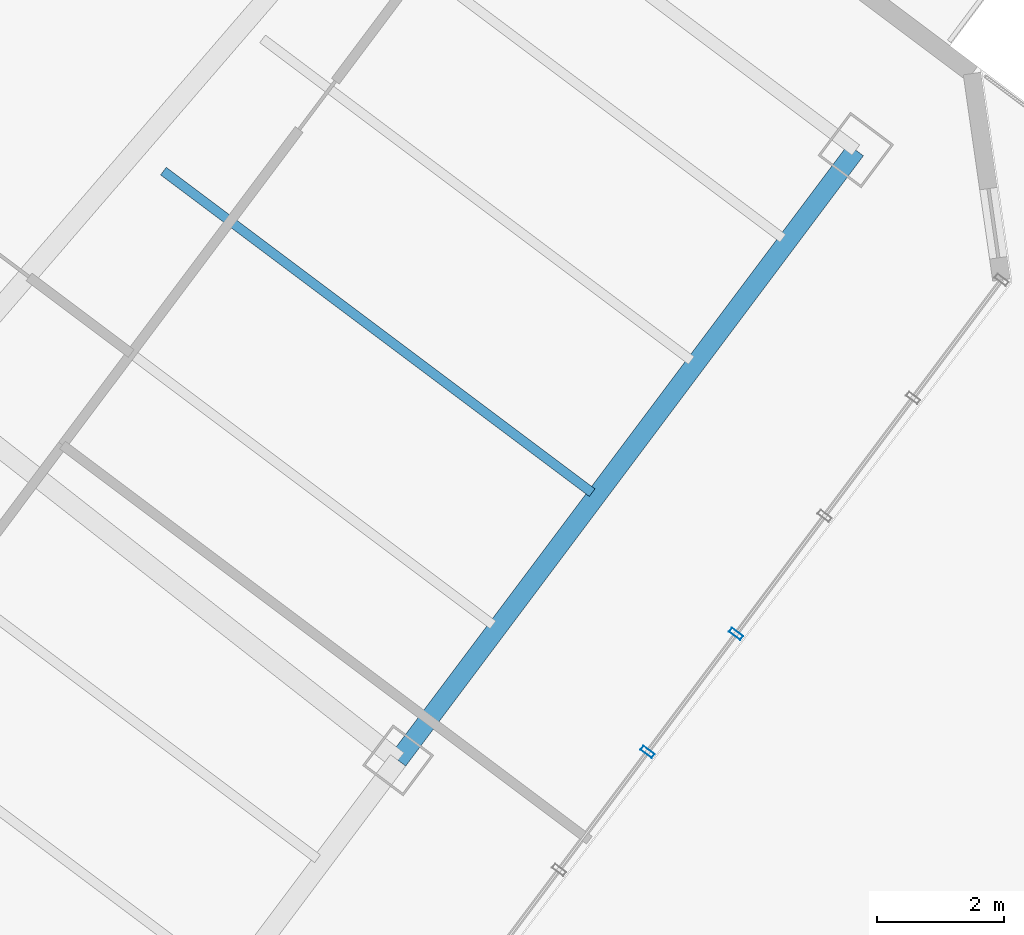
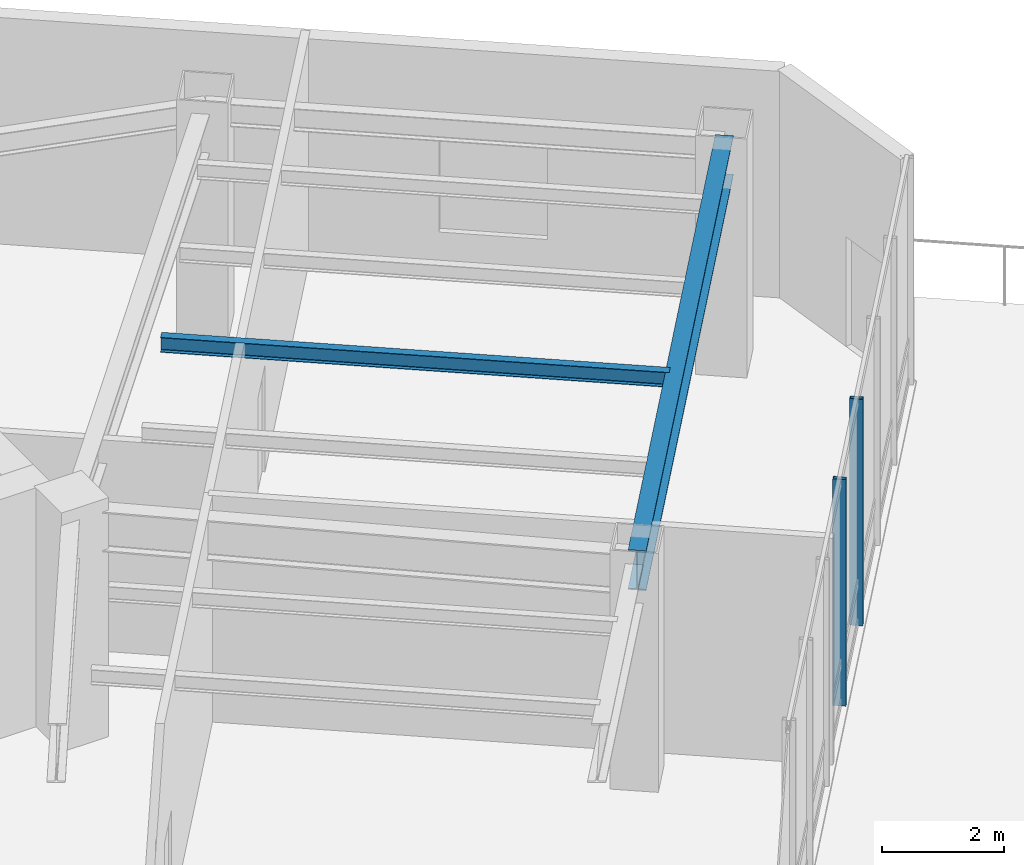
# One storey, part 12 of 30: 2 beams, 2 members, 1 element without a shape of its own.
"""IFC4 building model written with IfcOpenShell, lengths in metres."""

from ifc_helpers import new_model, si_unit, direction, frame, origin, origin_2d, place, context, subcontext, project, spatial, hollow_rectangle, i_section, extrude, material, layer, layer_set, material_profile, profile_set, type_object, element, aggregate, save


model = new_model("IFC4")

# Units and contexts
model_context = context("Model", 3, precision=1e-05, world=origin(), true_north=direction((0.0, 1.0)))
body_context = subcontext(model_context, "Body", "Model", "MODEL_VIEW")
ifc_project = project(units=[si_unit("LENGTHUNIT", "METRE"), si_unit("AREAUNIT", "SQUARE_METRE"), si_unit("VOLUMEUNIT", "CUBIC_METRE"), si_unit("PLANEANGLEUNIT", "RADIAN"), si_unit("MASSUNIT", "GRAM", prefix="KILO")], contexts=[model_context])

# Site, building, storey
site_placement = place(None, origin())
site = spatial("IfcSite", under=ifc_project, at=site_placement, CompositionType="ELEMENT")
building_placement = place(site_placement, origin())
building = spatial("IfcBuilding", under=site, at=building_placement, Name="Hatsunagi Terrace Concourse", CompositionType="ELEMENT")
storey_placement = place(building_placement, frame((0.0, 0.0, 130.050048828125)))
storey = spatial("IfcBuildingStorey", under=building, at=storey_placement, Name="L34", CompositionType="ELEMENT", Elevation=130.050048828125)

# Curtain wall, members
ifc_material_1 = material(Name="Anodised Aluminium Alloy 6063-T5", Category="aluminium")
ifc_layer = layer(ifc_material_1, 0.199951171875)
ifc_layer_set = layer_set([ifc_layer], Name="SkyLobbyAtrium_CW05")
curtain_wall_type = type_object("IfcCurtainWallType", Name="SkyLobbyAtrium_CW05", PredefinedType="NOTDEFINED", material=ifc_layer_set)
curtain_wall_placement = place(storey_placement, origin())
curtain_wall = element("IfcCurtainWall", 1, at=curtain_wall_placement, inside=storey, type_object=curtain_wall_type, Name="Unitised Curtain Wall CW-05 CW-L34-03", PredefinedType="NOTDEFINED")
ifc_material_2 = material(Name="Anodised Aluminium Alloy 6063-T5", Category="aluminium")
ifc_material_profile_1 = material_profile(ifc_material_2, hollow_rectangle(XDim=0.080078125, YDim=0.219970703125, WallThickness=0.0048828125, at=origin_2d()), Name="ALU-MUL-220x80x5")
ifc_profile_set_1 = profile_set([ifc_material_profile_1], Name="Anodised Aluminium Alloy 6063-T5")
member_type = type_object("IfcMemberType", Name="CurtainWallMullion_Heavy_220x80", PredefinedType="MULLION", material=ifc_profile_set_1)
member_1_placement = place(storey_placement, frame((56.51611328125, 20.388916015625, 0.0), z_axis=(0.0, 0.0, 1.0), x_axis=(-0.599969314634, -0.800023013105, 0.0)))
member_1 = element("IfcMember", 2, at=member_1_placement, type_object=member_type, Name="Curtain Wall Mullion MUL-01", PredefinedType="MULLION", context=body_context, shape_type="SweptSolid", body=[
    extrude(hollow_rectangle(XDim=0.080078125, YDim=0.219970703125, WallThickness=0.0048828125, at=origin_2d()), origin(), (0.0, 0.0, 1.0), 4.550048828125),
])
member_2_placement = place(storey_placement, frame((55.1240234375, 18.531982421875, 0.0), z_axis=(0.0, 0.0, 1.0), x_axis=(-0.599969314634, -0.800023013105, 0.0)))
member_2 = element("IfcMember", 3, at=member_2_placement, type_object=member_type, Name="Curtain Wall Mullion MUL-01", PredefinedType="MULLION", context=body_context, shape_type="SweptSolid", body=[
    extrude(hollow_rectangle(XDim=0.080078125, YDim=0.219970703125, WallThickness=0.0048828125, at=origin_2d()), origin(), (0.0, 0.0, 1.0), 4.550048828125),
])
aggregate(curtain_wall, [member_1, member_2])

# Beams
ifc_material_3 = material(Name="Steel SN490B", Category="steel")
ifc_material_profile_2 = material_profile(ifc_material_3, i_section(OverallWidth=0.14990234375, OverallDepth=0.300048828125, WebThickness=0.006591796875, FlangeThickness=0.009033203125, FilletRadius=0.010986328125, at=origin_2d()), Name="H-300x150x6.5x9")
ifc_profile_set_2 = profile_set([ifc_material_profile_2], Name="Steel SN490B")
beam_type_1 = type_object("IfcBeamType", Name="OfficeJoist_H_300x150", PredefinedType="JOIST", material=ifc_profile_set_2)
beam_1_placement = place(storey_placement, frame((47.508056640625, 27.6689453125, 4.39990234375), z_axis=(0.800003475366, -0.59999536615, 0.0), x_axis=(0.59999536615, 0.800003475366, 0.0)))
element("IfcBeam", 4, at=beam_1_placement, inside=storey, type_object=beam_type_1, Name="Beam J-03 J-L34-SE-2-168", PredefinedType="JOIST", context=body_context, shape_type="SweptSolid", body=[
    extrude(i_section(OverallWidth=0.14990234375, OverallDepth=0.300048828125, WebThickness=0.006591796875, FlangeThickness=0.009033203125, FilletRadius=0.010986328125, at=origin_2d()), origin(), (0.0, 0.0, 1.0), 8.429931640625),
])
ifc_material_4 = material(Name="Steel SN490B", Category="steel")
ifc_material_profile_3 = material_profile(ifc_material_4, i_section(OverallWidth=0.300048828125, OverallDepth=0.800048828125, WebThickness=0.013916015625, FlangeThickness=0.02587890625, FilletRadius=0.02197265625, at=origin_2d()), Name="H-800x300x14x26")
ifc_profile_set_3 = profile_set([ifc_material_profile_3], Name="Steel SN490B")
beam_type_2 = type_object("IfcBeamType", Name="SkyLobbyGirder_H_800x300", PredefinedType="BEAM", material=ifc_profile_set_3)
beam_2_placement = place(storey_placement, frame((51.199951171875, 18.39990234375, 4.14990234375), z_axis=(0.59999348959, 0.800004882766, 0.0), x_axis=(-0.800004882766, 0.59999348959, 0.0)))
element("IfcBeam", 5, at=beam_2_placement, inside=storey, type_object=beam_type_2, Name="Beam G-03 BM-L34-SET-2B", PredefinedType="BEAM", context=body_context, shape_type="SweptSolid", body=[
    extrude(i_section(OverallWidth=0.300048828125, OverallDepth=0.800048828125, WebThickness=0.013916015625, FlangeThickness=0.02587890625, FilletRadius=0.02197265625, at=origin_2d()), origin(), (0.0, 0.0, 1.0), 12.0),
])

save(model, "model.ifc")
